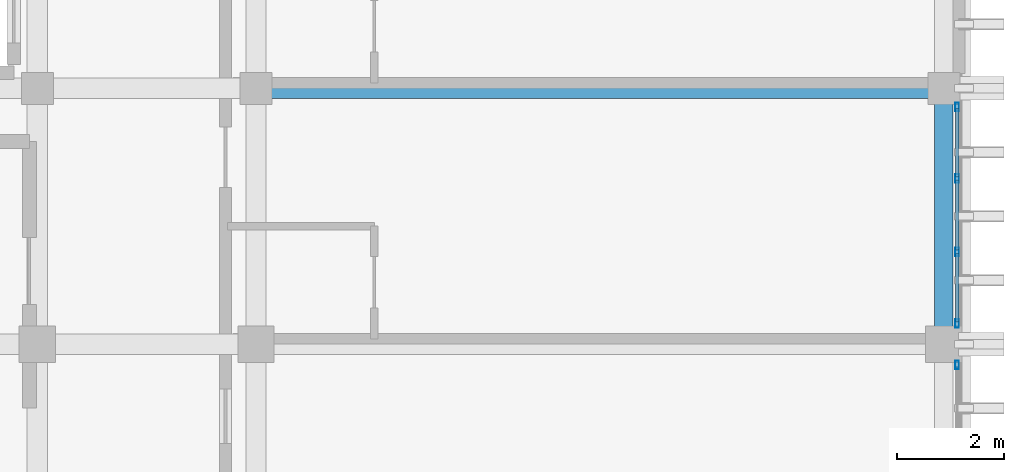
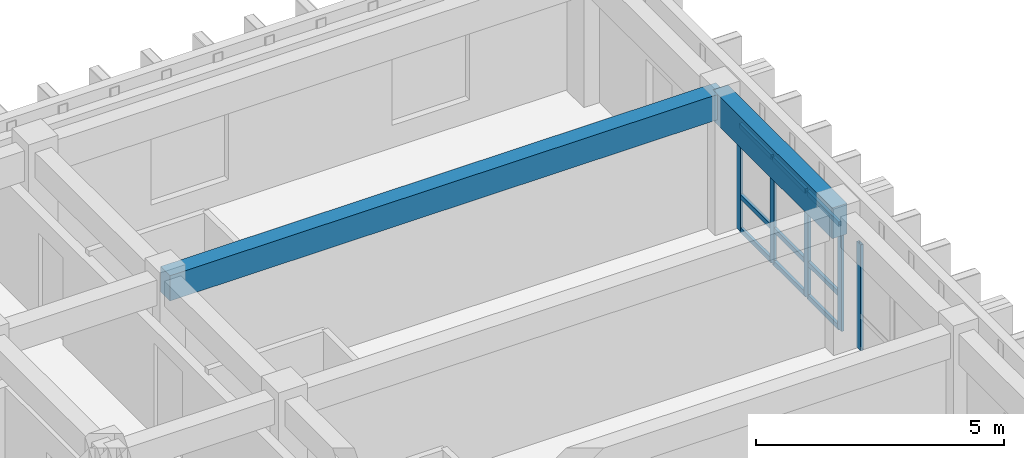
# One storey, part 40 of 53: 14 members, 2 beams, 2 elements without a shape of their own.
"""IFC4 building model written with IfcOpenShell, lengths in metres."""

from ifc_helpers import new_model, si_unit, direction, frame, origin, origin_2d, place, context, subcontext, project, spatial, rectangle, hollow_rectangle, extrude, material, layer, layer_set, material_profile, profile_set, type_object, element, aggregate, save


model = new_model("IFC4")

# Units and contexts
model_context = context("Model", 3, precision=1e-05, world=origin(), true_north=direction((0.0, 1.0)))
body_context = subcontext(model_context, "Body", "Model", "MODEL_VIEW")
ifc_project = project(units=[si_unit("LENGTHUNIT", "METRE"), si_unit("AREAUNIT", "SQUARE_METRE"), si_unit("VOLUMEUNIT", "CUBIC_METRE"), si_unit("PLANEANGLEUNIT", "RADIAN"), si_unit("MASSUNIT", "GRAM", prefix="KILO")], contexts=[model_context])

# Site, building, storey
site_placement = place(None, origin())
site = spatial("IfcSite", under=ifc_project, at=site_placement, CompositionType="ELEMENT")
building_placement = place(site_placement, origin())
building = spatial("IfcBuilding", under=site, at=building_placement, Name="Nakhvara Creek Congress Hotel", CompositionType="ELEMENT")
storey_placement = place(building_placement, frame((0.0, 0.0, 35.39990234375)))
storey = spatial("IfcBuildingStorey", under=building, at=storey_placement, Name="L08", CompositionType="ELEMENT", Elevation=35.39990234375)

# Beams
ifc_material_1 = material(Name="Concrete C40/50", Category="concrete")
ifc_material_profile_1 = material_profile(ifc_material_1, rectangle(XDim=0.3798828125, YDim=0.6201171875, at=origin_2d()), Name="RC-BM 380x620", Category="LoadBearing")
ifc_profile_set_1 = profile_set([ifc_material_profile_1], Name="Concrete C40/50")
beam_type_1 = type_object("IfcBeamType", Name="BM-RC-380X620", PredefinedType="BEAM", material=ifc_profile_set_1)
beam_1_placement = place(storey_placement, frame((166.449951171875, 120.0, 3.050048828125), z_axis=(1.0, 0.0, 0.0), x_axis=(0.0, 1.0, 0.0)))
element("IfcBeam", 1, at=beam_1_placement, inside=storey, type_object=beam_type_1, Name="Beam B10-L08-2532", PredefinedType="BEAM", context=body_context, shape_type="SweptSolid", body=[
    extrude(rectangle(XDim=0.3798828125, YDim=0.6201171875, at=origin_2d()), origin(), (0.0, 0.0, 1.0), 12.900146484375),
])
ifc_material_profile_2 = material_profile(ifc_material_1, rectangle(XDim=0.35009765625, YDim=0.75, at=origin_2d()), Name="RC-SPANDREL 350x750", Category="LoadBearing")
ifc_profile_set_2 = profile_set([ifc_material_profile_2], Name="Concrete C40/50")
beam_type_2 = type_object("IfcBeamType", Name="BM-SPN-350X750", PredefinedType="SPANDREL", material=ifc_profile_set_2)
beam_2_placement = place(storey_placement, frame((179.35009765625, 115.199951171875, 2.985107421875), z_axis=(0.0, 1.0, 0.0), x_axis=(-1.0, 0.0, 0.0)))
element("IfcBeam", 2, at=beam_2_placement, inside=storey, type_object=beam_type_2, Name="Beam SP1-L08-2509", PredefinedType="SPANDREL", context=body_context, shape_type="SweptSolid", body=[
    extrude(rectangle(XDim=0.35009765625, YDim=0.75, at=origin_2d()), origin(), (0.0, 0.0, 1.0), 4.800048828125),
])

# Curtain wall, member
ifc_material_2 = material(Name="Bronze-anodised aluminium AW-6063-T6 and double-silver low-E glass", Category="aluminium")
ifc_layer = layer(ifc_material_2, 0.199951171875)
ifc_layer_set = layer_set([ifc_layer], Name="Bronze-anodised aluminium AW-6063-T6 and double-silver low-E glass")
curtain_wall_type = type_object("IfcCurtainWallType", Name="CW-HTL-UNIT", PredefinedType="USERDEFINED", material=ifc_layer_set)
curtain_wall_1_placement = place(storey_placement, origin())
curtain_wall_1 = element("IfcCurtainWall", 3, at=curtain_wall_1_placement, inside=storey, type_object=curtain_wall_type, Name="Curtain Wall CW291", ObjectType="UNITISED", PredefinedType="USERDEFINED")
ifc_material_3 = material(Name="Bronze-anodised aluminium AW-6063-T6", Category="aluminium")
ifc_material_profile_3 = material_profile(ifc_material_3, hollow_rectangle(XDim=0.06494140625, YDim=0.159912109375, WallThickness=0.00390625, at=origin_2d()), Name="ALU-MULL 65x160x4", Category="LoadBearing")
ifc_profile_set_3 = profile_set([ifc_material_profile_3], Name="Bronze-anodised aluminium AW-6063-T6")
member_type_1 = type_object("IfcMemberType", Name="CW-MULL-160", PredefinedType="MULLION", material=ifc_profile_set_3)
member_1_placement = place(storey_placement, frame((179.60009765625, 114.8125, 0.0), z_axis=(0.0, 0.0, 1.0), x_axis=(1.0, 0.0, 0.0)))
member_1 = element("IfcMember", 4, at=member_1_placement, type_object=member_type_1, Name="CW291 mullion 1", PredefinedType="MULLION", context=body_context, shape_type="SweptSolid", body=[
    extrude(hollow_rectangle(XDim=0.06494140625, YDim=0.159912109375, WallThickness=0.00390625, at=origin_2d()), origin(), (0.0, 0.0, 1.0), 2.60205078125),
])
aggregate(curtain_wall_1, [member_1])

# Curtain wall, members
curtain_wall_2_placement = place(storey_placement, origin())
curtain_wall_2 = element("IfcCurtainWall", 5, at=curtain_wall_2_placement, inside=storey, type_object=curtain_wall_type, Name="Curtain Wall CW293", ObjectType="UNITISED", PredefinedType="USERDEFINED")
member_2_placement = place(storey_placement, frame((179.60009765625, 119.652587890625, 0.0), z_axis=(0.0, 0.0, 1.0), x_axis=(1.0, 0.0, 0.0)))
member_2 = element("IfcMember", 6, at=member_2_placement, type_object=member_type_1, Name="CW293 mullion 1", PredefinedType="MULLION", context=body_context, shape_type="SweptSolid", body=[
    extrude(hollow_rectangle(XDim=0.06494140625, YDim=0.159912109375, WallThickness=0.00390625, at=origin_2d()), origin(), (0.0, 0.0, 1.0), 2.60205078125),
])
member_3_placement = place(storey_placement, frame((179.60009765625, 118.308349609375, 0.0), z_axis=(0.0, 0.0, 1.0), x_axis=(1.0, 0.0, 0.0)))
member_3 = element("IfcMember", 7, at=member_3_placement, type_object=member_type_1, Name="CW293 mullion 2", PredefinedType="MULLION", context=body_context, shape_type="SweptSolid", body=[
    extrude(hollow_rectangle(XDim=0.06494140625, YDim=0.159912109375, WallThickness=0.00390625, at=origin_2d()), origin(), (0.0, 0.0, 1.0), 2.60205078125),
])
member_4_placement = place(storey_placement, frame((179.60009765625, 116.931640625, 0.0), z_axis=(0.0, 0.0, 1.0), x_axis=(1.0, 0.0, 0.0)))
member_4 = element("IfcMember", 8, at=member_4_placement, type_object=member_type_1, Name="CW293 mullion 3", PredefinedType="MULLION", context=body_context, shape_type="SweptSolid", body=[
    extrude(hollow_rectangle(XDim=0.06494140625, YDim=0.159912109375, WallThickness=0.00390625, at=origin_2d()), origin(), (0.0, 0.0, 1.0), 2.60205078125),
])
member_5_placement = place(storey_placement, frame((179.60009765625, 115.58740234375, 0.0), z_axis=(0.0, 0.0, 1.0), x_axis=(1.0, 0.0, 0.0)))
member_5 = element("IfcMember", 9, at=member_5_placement, type_object=member_type_1, Name="CW293 mullion 4", PredefinedType="MULLION", context=body_context, shape_type="SweptSolid", body=[
    extrude(hollow_rectangle(XDim=0.06494140625, YDim=0.159912109375, WallThickness=0.00390625, at=origin_2d()), origin(), (0.0, 0.0, 1.0), 2.60205078125),
])
ifc_material_profile_4 = material_profile(ifc_material_3, hollow_rectangle(XDim=0.06494140625, YDim=0.1201171875, WallThickness=0.00390625, at=origin_2d()), Name="ALU-TRAN 65x120x4", Category="LoadBearing")
ifc_profile_set_4 = profile_set([ifc_material_profile_4], Name="Bronze-anodised aluminium AW-6063-T6")
member_type_2 = type_object("IfcMemberType", Name="CW-TRAN-120", PredefinedType="USERDEFINED", material=ifc_profile_set_4)
member_6_placement = place(storey_placement, frame((179.60009765625, 119.6201171875, 0.03271484375), z_axis=(0.0, -1.0, 0.0), x_axis=(1.0, 0.0, 0.0)))
member_6 = element("IfcMember", 10, at=member_6_placement, type_object=member_type_2, Name="CW293 transom 1.1", ObjectType="TRANSOM", PredefinedType="USERDEFINED", context=body_context, shape_type="SweptSolid", body=[
    extrude(hollow_rectangle(XDim=0.06494140625, YDim=0.1201171875, WallThickness=0.00390625, at=origin_2d()), origin(), (0.0, 0.0, 1.0), 1.279296875),
])
member_7_placement = place(storey_placement, frame((179.60009765625, 119.6201171875, 0.85009765625), z_axis=(0.0, -1.0, 0.0), x_axis=(1.0, 0.0, 0.0)))
member_7 = element("IfcMember", 11, at=member_7_placement, type_object=member_type_2, Name="CW293 transom 1.2", ObjectType="TRANSOM", PredefinedType="USERDEFINED", context=body_context, shape_type="SweptSolid", body=[
    extrude(hollow_rectangle(XDim=0.06494140625, YDim=0.1201171875, WallThickness=0.00390625, at=origin_2d()), origin(), (0.0, 0.0, 1.0), 1.279296875),
])
member_8_placement = place(storey_placement, frame((179.60009765625, 119.6201171875, 2.569580078125), z_axis=(0.0, -1.0, 0.0), x_axis=(1.0, 0.0, 0.0)))
member_8 = element("IfcMember", 12, at=member_8_placement, type_object=member_type_2, Name="CW293 transom 1.3", ObjectType="TRANSOM", PredefinedType="USERDEFINED", context=body_context, shape_type="SweptSolid", body=[
    extrude(hollow_rectangle(XDim=0.06494140625, YDim=0.1201171875, WallThickness=0.00390625, at=origin_2d()), origin(), (0.0, 0.0, 1.0), 1.279296875),
])
member_9_placement = place(storey_placement, frame((179.60009765625, 118.27587890625, 0.03271484375), z_axis=(0.0, -1.0, 0.0), x_axis=(1.0, 0.0, 0.0)))
member_9 = element("IfcMember", 13, at=member_9_placement, type_object=member_type_2, Name="CW293 transom 2.1", ObjectType="TRANSOM", PredefinedType="USERDEFINED", context=body_context, shape_type="SweptSolid", body=[
    extrude(hollow_rectangle(XDim=0.06494140625, YDim=0.1201171875, WallThickness=0.00390625, at=origin_2d()), origin(), (0.0, 0.0, 1.0), 1.311767578125),
])
member_10_placement = place(storey_placement, frame((179.60009765625, 118.27587890625, 0.85009765625), z_axis=(0.0, -1.0, 0.0), x_axis=(1.0, 0.0, 0.0)))
member_10 = element("IfcMember", 14, at=member_10_placement, type_object=member_type_2, Name="CW293 transom 2.2", ObjectType="TRANSOM", PredefinedType="USERDEFINED", context=body_context, shape_type="SweptSolid", body=[
    extrude(hollow_rectangle(XDim=0.06494140625, YDim=0.1201171875, WallThickness=0.00390625, at=origin_2d()), origin(), (0.0, 0.0, 1.0), 1.311767578125),
])
member_11_placement = place(storey_placement, frame((179.60009765625, 118.27587890625, 2.569580078125), z_axis=(0.0, -1.0, 0.0), x_axis=(1.0, 0.0, 0.0)))
member_11 = element("IfcMember", 15, at=member_11_placement, type_object=member_type_2, Name="CW293 transom 2.3", ObjectType="TRANSOM", PredefinedType="USERDEFINED", context=body_context, shape_type="SweptSolid", body=[
    extrude(hollow_rectangle(XDim=0.06494140625, YDim=0.1201171875, WallThickness=0.00390625, at=origin_2d()), origin(), (0.0, 0.0, 1.0), 1.311767578125),
])
member_12_placement = place(storey_placement, frame((179.60009765625, 116.899169921875, 0.03271484375), z_axis=(0.0, -1.0, 0.0), x_axis=(1.0, 0.0, 0.0)))
member_12 = element("IfcMember", 16, at=member_12_placement, type_object=member_type_2, Name="CW293 transom 3.1", ObjectType="TRANSOM", PredefinedType="USERDEFINED", context=body_context, shape_type="SweptSolid", body=[
    extrude(hollow_rectangle(XDim=0.06494140625, YDim=0.1201171875, WallThickness=0.00390625, at=origin_2d()), origin(), (0.0, 0.0, 1.0), 1.279052734375),
])
member_13_placement = place(storey_placement, frame((179.60009765625, 116.899169921875, 0.85009765625), z_axis=(0.0, -1.0, 0.0), x_axis=(1.0, 0.0, 0.0)))
member_13 = element("IfcMember", 17, at=member_13_placement, type_object=member_type_2, Name="CW293 transom 3.2", ObjectType="TRANSOM", PredefinedType="USERDEFINED", context=body_context, shape_type="SweptSolid", body=[
    extrude(hollow_rectangle(XDim=0.06494140625, YDim=0.1201171875, WallThickness=0.00390625, at=origin_2d()), origin(), (0.0, 0.0, 1.0), 1.279052734375),
])
member_14_placement = place(storey_placement, frame((179.60009765625, 116.899169921875, 2.569580078125), z_axis=(0.0, -1.0, 0.0), x_axis=(1.0, 0.0, 0.0)))
member_14 = element("IfcMember", 18, at=member_14_placement, type_object=member_type_2, Name="CW293 transom 3.3", ObjectType="TRANSOM", PredefinedType="USERDEFINED", context=body_context, shape_type="SweptSolid", body=[
    extrude(hollow_rectangle(XDim=0.06494140625, YDim=0.1201171875, WallThickness=0.00390625, at=origin_2d()), origin(), (0.0, 0.0, 1.0), 1.279052734375),
])
aggregate(curtain_wall_2, [member_2, member_3, member_4, member_5, member_6, member_7, member_8, member_9, member_10, member_11, member_12, member_13, member_14])

save(model, "model.ifc")
